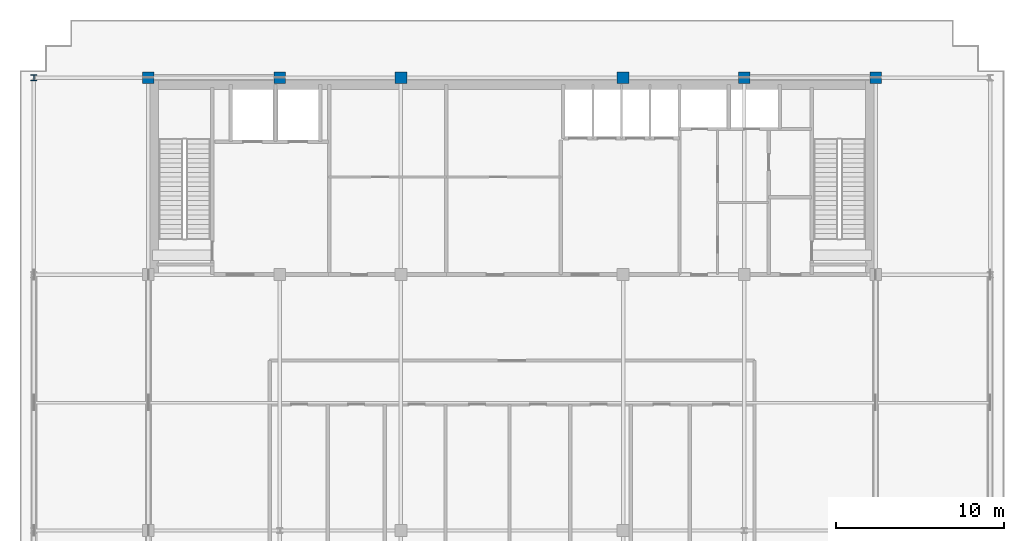
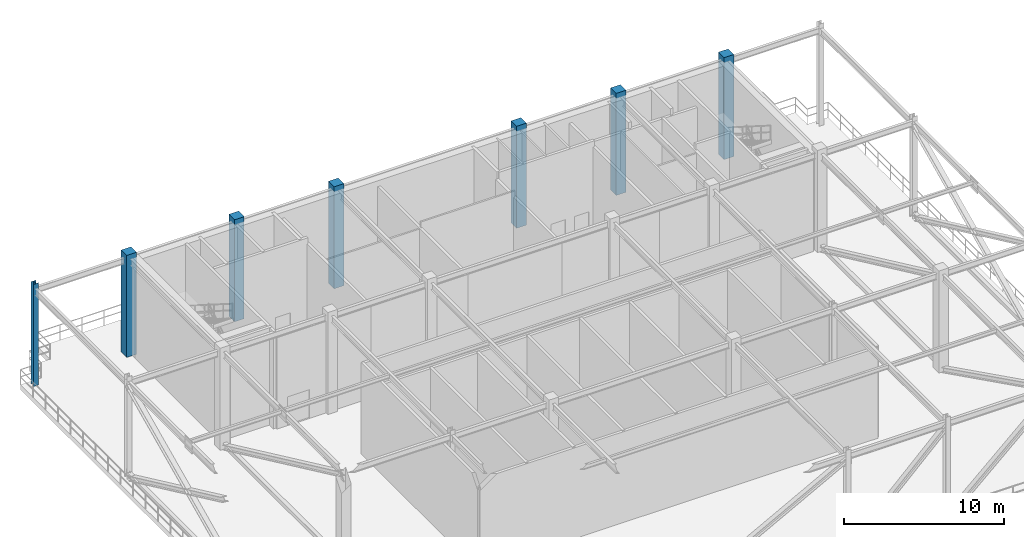
# One storey, part 3 of 15: 7 columns.
"""IFC4 building model written with IfcOpenShell, lengths in metres."""

from ifc_helpers import new_model, si_unit, direction, frame, origin, origin_2d, place, context, subcontext, project, spatial, rectangle, i_section, extrude, source, transform, mapped, material, material_profile, profile_set, type_object, element, save


model = new_model("IFC4")

# Units and contexts
model_context = context("Model", 3, precision=1e-05, world=origin(), true_north=direction((0.0, 1.0)))
body_context = subcontext(model_context, "Body", "Model", "MODEL_VIEW")
ifc_project = project(units=[si_unit("LENGTHUNIT", "METRE"), si_unit("AREAUNIT", "SQUARE_METRE"), si_unit("VOLUMEUNIT", "CUBIC_METRE"), si_unit("PLANEANGLEUNIT", "RADIAN"), si_unit("MASSUNIT", "GRAM", prefix="KILO")], contexts=[model_context])

# Site, building, storey
site_placement = place(None, origin())
site = spatial("IfcSite", under=ifc_project, at=site_placement, CompositionType="ELEMENT")
building_placement = place(site_placement, origin())
building = spatial("IfcBuilding", under=site, at=building_placement, Name="Trelvane Seafront Commons", CompositionType="ELEMENT")
storey_placement = place(building_placement, frame((0.0, 0.0, 240.89990234375)))
storey = spatial("IfcBuildingStorey", under=building, at=storey_placement, Name="L63", CompositionType="ELEMENT", Elevation=240.89990234375)

# Columns
ifc_material_1 = material(Name="Steel SM355 (S355)", Category="steel")
ifc_material_profile_1 = material_profile(ifc_material_1, i_section(OverallWidth=0.35009765625, OverallDepth=0.35009765625, WebThickness=0.01806640625, FlangeThickness=0.028076171875, at=origin_2d()), Name="HD-350x350x18x28")
ifc_profile_set_1 = profile_set([ifc_material_profile_1], Name="Steel SM355 (S355)")
column_type_1 = type_object("IfcColumnType", Name="STR-COL-HD350", PredefinedType="COLUMN", material=ifc_profile_set_1)
shared_shape_1 = source(origin(), body_context, "Body", "SweptSolid", [
    extrude(i_section(OverallWidth=0.35009765625, OverallDepth=0.35009765625, WebThickness=0.01806640625, FlangeThickness=0.028076171875, at=origin_2d()), origin(), (0.0, 0.0, 1.0), 7.800048828125),
])
column_placement = place(storey_placement, frame((8.800048828125, 45.10009765625, 0.0), z_axis=(0.0, 0.0, 1.0), x_axis=(1.0, 0.0, 0.0)))
element("IfcColumn", 1, at=column_placement, inside=storey, type_object=column_type_1, Name="L63 Column TC-CN8.8", PredefinedType="COLUMN", context=body_context, shape_type="MappedRepresentation", body=[
    mapped(shared_shape_1, transform((0.0, 0.0, 0.0), x_axis=(1.0, 0.0, 0.0), y_axis=(0.0, 1.0, 0.0), z_axis=(0.0, 0.0, 1.0), scale=1.0)),
])
ifc_material_2 = material(Name="Concrete C50/60", Category="concrete")
ifc_material_profile_2 = material_profile(ifc_material_2, rectangle(XDim=0.699951171875, YDim=0.699951171875, at=origin_2d()), Name="RC-700x700")
ifc_profile_set_2 = profile_set([ifc_material_profile_2], Name="Concrete C50/60")
column_type_2 = type_object("IfcColumnType", Name="STR-COL-RC700", PredefinedType="COLUMN", material=ifc_profile_set_2)
shared_shape_2 = source(origin(), body_context, "Body", "SweptSolid", [
    extrude(rectangle(XDim=0.699951171875, YDim=0.699951171875, at=origin_2d()), origin(), (0.0, 0.0, 1.0), 7.800048828125),
])
for number, where, z_axis, x_axis, name in (
    (2, (15.60009765625, 45.10009765625, 0.0), (0.0, 0.0, 1.0), (1.0, 0.0, 0.0), "L63 Column TC-CN15.6"),
    (3, (23.39990234375, 45.10009765625, 0.0), (0.0, 0.0, 1.0), (1.0, 0.0, 0.0), "L63 Column TC-CN23.4"),
    (4, (30.60009765625, 45.10009765625, 0.0), (0.0, 0.0, 1.0), (1.0, 0.0, 0.0), "L63 Column TC-CN30.6"),
    (5, (43.800048828125, 45.10009765625, 0.0), (0.0, 0.0, 1.0), (1.0, 0.0, 0.0), "L63 Column TC-CN43.8"),
    (6, (51.0, 45.10009765625, 0.0), (0.0, 0.0, 1.0), (1.0, 0.0, 0.0), "L63 Column TC-CN51.0"),
    (7, (58.800048828125, 45.10009765625, 0.0), (0.0, 0.0, 1.0), (1.0, 0.0, 0.0), "L63 Column TC-CN58.8"),
):
    element("IfcColumn", number, at=place(storey_placement, frame(where, z_axis=z_axis, x_axis=x_axis)), inside=storey, type_object=column_type_2, Name=name, PredefinedType="COLUMN", context=body_context, shape_type="MappedRepresentation", body=[
        mapped(shared_shape_2, transform((0.0, 0.0, 0.0), x_axis=(1.0, 0.0, 0.0), y_axis=(0.0, 1.0, 0.0), z_axis=(0.0, 0.0, 1.0), scale=1.0)),
    ])

save(model, "model.ifc")
